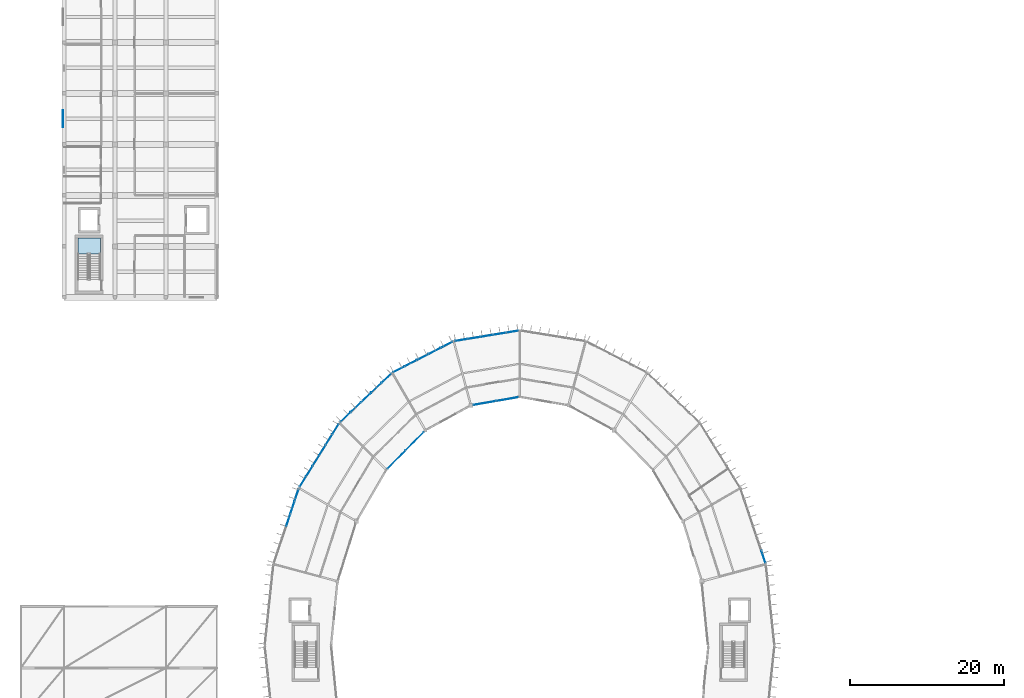
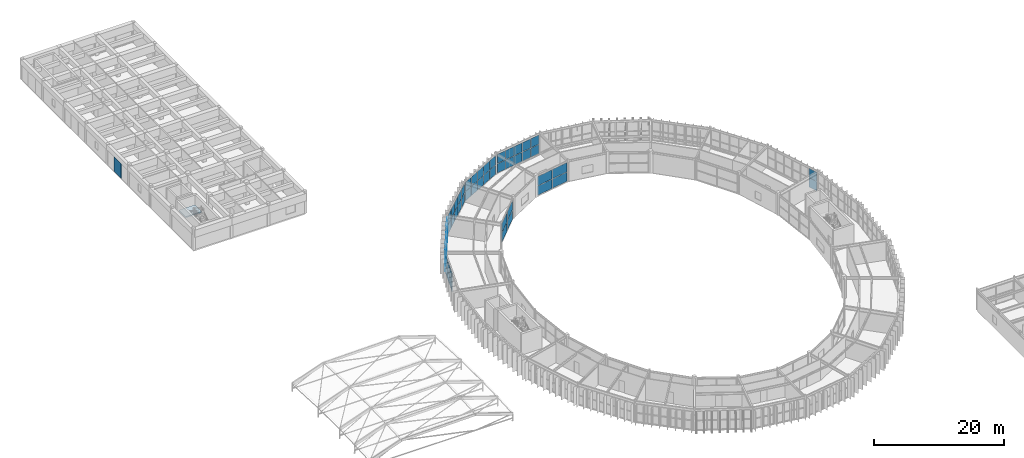
# One storey, part 97 of 134: 59 plates, 1 slab, 9 elements without a shape of their own.
"""IFC4 building model written with IfcOpenShell, lengths in metres."""

from ifc_helpers import new_model, si_unit, direction, frame, origin, origin_2d, place, context, subcontext, project, spatial, polyline, rectangle, outline, extrude, material, layer, layer_set, type_object, element, aggregate, save


model = new_model("IFC4")

# Units and contexts
model_context = context("Model", 3, precision=1e-05, world=origin(), true_north=direction((0.0, 1.0)))
body_context = subcontext(model_context, "Body", "Model", "MODEL_VIEW")
ifc_project = project(units=[si_unit("LENGTHUNIT", "METRE"), si_unit("AREAUNIT", "SQUARE_METRE"), si_unit("VOLUMEUNIT", "CUBIC_METRE"), si_unit("PLANEANGLEUNIT", "RADIAN"), si_unit("MASSUNIT", "GRAM", prefix="KILO")], contexts=[model_context])

# Site, building, storey
site_placement = place(None, origin())
site = spatial("IfcSite", under=ifc_project, at=site_placement, CompositionType="ELEMENT")
building_placement = place(site_placement, origin())
building = spatial("IfcBuilding", under=site, at=building_placement, Name="Karori Crest Natural Sciences Institute", CompositionType="ELEMENT")
storey_placement = place(building_placement, frame((0.0, 0.0, 21.699951171875)))
storey = spatial("IfcBuildingStorey", under=building, at=storey_placement, Name="L05", CompositionType="ELEMENT", Elevation=21.699951171875)

# Curtain wall, plates
ifc_material_1 = material(Name="Anodised architectural aluminium 6063-T6", Category="aluminium")
curtain_wall_type_1 = type_object("IfcCurtainWallType", Name="CWT-07", PredefinedType="NOTDEFINED", material=ifc_material_1)
curtain_wall_1_placement = place(storey_placement, origin())
curtain_wall_1 = element("IfcCurtainWall", 1, at=curtain_wall_1_placement, inside=storey, type_object=curtain_wall_type_1, Name="Curtain wall CW-0181", PredefinedType="NOTDEFINED")
ifc_material_2 = material(Name="Double low-E laminated glass", Category="glass")
ifc_layer_1 = layer(ifc_material_2, 0.02392578125, Name="Double low-E laminated glass")
ifc_layer_set_1 = layer_set([ifc_layer_1], Name="Double low-E laminated glass")
plate_type_1 = type_object("IfcPlateType", Name="CWP-01", PredefinedType="CURTAIN_PANEL", material=ifc_layer_set_1)
plate_1_placement = place(storey_placement, frame((58.8291015625, 89.4677734375, 0.06494140625), z_axis=(0.0, 0.0, 1.0), x_axis=(0.987011397252, 0.160650246484, 0.0)))
plate_1 = element("IfcPlate", 2, at=plate_1_placement, type_object=plate_type_1, Name="CW-0181 panel 1.1", PredefinedType="CURTAIN_PANEL", context=body_context, shape_type="SweptSolid", body=[
    extrude(rectangle(XDim=1.582275390625, YDim=0.02392578125, at=origin_2d()), origin(), (0.0, 0.0, 1.0), 1.715087890625),
])
plate_2_placement = place(storey_placement, frame((58.8291015625, 89.4677734375, 1.84521484375), z_axis=(0.0, 0.0, 1.0), x_axis=(0.987011397252, 0.160650246484, 0.0)))
plate_2 = element("IfcPlate", 3, at=plate_2_placement, type_object=plate_type_1, Name="CW-0181 panel 1.2", PredefinedType="CURTAIN_PANEL", context=body_context, shape_type="SweptSolid", body=[
    extrude(rectangle(XDim=1.582275390625, YDim=0.02392578125, at=origin_2d()), origin(), (0.0, 0.0, 1.0), 1.715087890625),
])
plate_3_placement = place(storey_placement, frame((60.47119140625, 89.735107421875, 0.06494140625), z_axis=(0.0, 0.0, 1.0), x_axis=(0.987011397252, 0.160650246484, 0.0)))
plate_3 = element("IfcPlate", 4, at=plate_3_placement, type_object=plate_type_1, Name="CW-0181 panel 2.1", PredefinedType="CURTAIN_PANEL", context=body_context, shape_type="SweptSolid", body=[
    extrude(rectangle(XDim=1.61474609375, YDim=0.02392578125, at=origin_2d()), origin(), (0.0, 0.0, 1.0), 1.715087890625),
])
plate_4_placement = place(storey_placement, frame((60.47119140625, 89.735107421875, 1.84521484375), z_axis=(0.0, 0.0, 1.0), x_axis=(0.987011397252, 0.160650246484, 0.0)))
plate_4 = element("IfcPlate", 5, at=plate_4_placement, type_object=plate_type_1, Name="CW-0181 panel 2.2", PredefinedType="CURTAIN_PANEL", context=body_context, shape_type="SweptSolid", body=[
    extrude(rectangle(XDim=1.61474609375, YDim=0.02392578125, at=origin_2d()), origin(), (0.0, 0.0, 1.0), 1.715087890625),
])
plate_5_placement = place(storey_placement, frame((62.129150390625, 90.0048828125, 0.06494140625), z_axis=(0.0, 0.0, 1.0), x_axis=(0.987011397252, 0.160650246484, 0.0)))
plate_5 = element("IfcPlate", 6, at=plate_5_placement, type_object=plate_type_1, Name="CW-0181 panel 3.1", PredefinedType="CURTAIN_PANEL", context=body_context, shape_type="SweptSolid", body=[
    extrude(rectangle(XDim=1.61474609375, YDim=0.02392578125, at=origin_2d()), origin(), (0.0, 0.0, 1.0), 1.715087890625),
])
plate_6_placement = place(storey_placement, frame((62.129150390625, 90.0048828125, 1.84521484375), z_axis=(0.0, 0.0, 1.0), x_axis=(0.987011397252, 0.160650246484, 0.0)))
plate_6 = element("IfcPlate", 7, at=plate_6_placement, type_object=plate_type_1, Name="CW-0181 panel 3.2", PredefinedType="CURTAIN_PANEL", context=body_context, shape_type="SweptSolid", body=[
    extrude(rectangle(XDim=1.61474609375, YDim=0.02392578125, at=origin_2d()), origin(), (0.0, 0.0, 1.0), 1.715087890625),
])
plate_7_placement = place(storey_placement, frame((63.787109375, 90.274658203125, 0.06494140625), z_axis=(0.0, 0.0, 1.0), x_axis=(0.987011397252, 0.160650246484, 0.0)))
plate_7 = element("IfcPlate", 8, at=plate_7_placement, type_object=plate_type_1, Name="CW-0181 panel 4.1", PredefinedType="CURTAIN_PANEL", context=body_context, shape_type="SweptSolid", body=[
    extrude(rectangle(XDim=1.61474609375, YDim=0.02392578125, at=origin_2d()), origin(), (0.0, 0.0, 1.0), 1.715087890625),
])
plate_8_placement = place(storey_placement, frame((63.787109375, 90.274658203125, 1.84521484375), z_axis=(0.0, 0.0, 1.0), x_axis=(0.987011397252, 0.160650246484, 0.0)))
plate_8 = element("IfcPlate", 9, at=plate_8_placement, type_object=plate_type_1, Name="CW-0181 panel 4.2", PredefinedType="CURTAIN_PANEL", context=body_context, shape_type="SweptSolid", body=[
    extrude(rectangle(XDim=1.61474609375, YDim=0.02392578125, at=origin_2d()), origin(), (0.0, 0.0, 1.0), 1.715087890625),
])
plate_9_placement = place(storey_placement, frame((65.428955078125, 90.5419921875, 0.06494140625), z_axis=(0.0, 0.0, 1.0), x_axis=(0.987011397252, 0.160650246484, 0.0)))
plate_9 = element("IfcPlate", 10, at=plate_9_placement, type_object=plate_type_1, Name="CW-0181 panel 5.1", PredefinedType="CURTAIN_PANEL", context=body_context, shape_type="SweptSolid", body=[
    extrude(rectangle(XDim=1.582275390625, YDim=0.02392578125, at=origin_2d()), origin(), (0.0, 0.0, 1.0), 1.715087890625),
])
plate_10_placement = place(storey_placement, frame((65.428955078125, 90.5419921875, 1.84521484375), z_axis=(0.0, 0.0, 1.0), x_axis=(0.987011397252, 0.160650246484, 0.0)))
plate_10 = element("IfcPlate", 11, at=plate_10_placement, type_object=plate_type_1, Name="CW-0181 panel 5.2", PredefinedType="CURTAIN_PANEL", context=body_context, shape_type="SweptSolid", body=[
    extrude(rectangle(XDim=1.582275390625, YDim=0.02392578125, at=origin_2d()), origin(), (0.0, 0.0, 1.0), 1.715087890625),
])
aggregate(curtain_wall_1, [plate_1, plate_2, plate_3, plate_4, plate_5, plate_6, plate_7, plate_8, plate_9, plate_10])

curtain_wall_type_2 = type_object("IfcCurtainWallType", Name="CWT-12", PredefinedType="NOTDEFINED", material=ifc_material_1)
curtain_wall_2_placement = place(storey_placement, origin())
curtain_wall_2 = element("IfcCurtainWall", 12, at=curtain_wall_2_placement, inside=storey, type_object=curtain_wall_type_2, Name="Curtain wall CW-0182", PredefinedType="NOTDEFINED")
plate_11_placement = place(storey_placement, frame((64.798095703125, 81.821533203125, 0.06005859375), z_axis=(0.0, 0.0, 1.0), x_axis=(-0.985240827231, -0.171173924291, 0.0)))
plate_11 = element("IfcPlate", 13, at=plate_11_placement, type_object=plate_type_1, Name="CW-0182 panel 1.1", PredefinedType="CURTAIN_PANEL", context=body_context, shape_type="SweptSolid", body=[
    extrude(rectangle(XDim=2.91796875, YDim=0.02392578125, at=origin_2d()), origin(), (0.0, 0.0, 1.0), 1.735107421875),
])
plate_12_placement = place(storey_placement, frame((64.798095703125, 81.821533203125, 1.85498046875), z_axis=(0.0, 0.0, 1.0), x_axis=(-0.985240827231, -0.171173924291, 0.0)))
plate_12 = element("IfcPlate", 14, at=plate_12_placement, type_object=plate_type_1, Name="CW-0182 panel 1.2", PredefinedType="CURTAIN_PANEL", context=body_context, shape_type="SweptSolid", body=[
    extrude(rectangle(XDim=2.91796875, YDim=0.02392578125, at=origin_2d()), origin(), (0.0, 0.0, 1.0), 1.735107421875),
])
plate_13_placement = place(storey_placement, frame((61.859130859375, 81.31103515625, 0.06005859375), z_axis=(0.0, 0.0, 1.0), x_axis=(-0.985240827231, -0.171173924291, 0.0)))
plate_13 = element("IfcPlate", 15, at=plate_13_placement, type_object=plate_type_1, Name="CW-0182 panel 2.1", PredefinedType="CURTAIN_PANEL", context=body_context, shape_type="SweptSolid", body=[
    extrude(rectangle(XDim=2.91796875, YDim=0.02392578125, at=origin_2d()), origin(), (0.0, 0.0, 1.0), 1.735107421875),
])
plate_14_placement = place(storey_placement, frame((61.859130859375, 81.31103515625, 1.85498046875), z_axis=(0.0, 0.0, 1.0), x_axis=(-0.985240827231, -0.171173924291, 0.0)))
plate_14 = element("IfcPlate", 16, at=plate_14_placement, type_object=plate_type_1, Name="CW-0182 panel 2.2", PredefinedType="CURTAIN_PANEL", context=body_context, shape_type="SweptSolid", body=[
    extrude(rectangle(XDim=2.91796875, YDim=0.02392578125, at=origin_2d()), origin(), (0.0, 0.0, 1.0), 1.735107421875),
])
aggregate(curtain_wall_2, [plate_11, plate_12, plate_13, plate_14])

curtain_wall_type_3 = type_object("IfcCurtainWallType", Name="CWT-14", PredefinedType="NOTDEFINED", material=ifc_material_1)
curtain_wall_3_placement = place(storey_placement, origin())
curtain_wall_3 = element("IfcCurtainWall", 17, at=curtain_wall_3_placement, inside=storey, type_object=curtain_wall_type_3, Name="Curtain wall CW-0185", PredefinedType="NOTDEFINED")
plate_15_placement = place(storey_placement, frame((52.803466796875, 76.371826171875, 0.06005859375), z_axis=(0.0, 0.0, 1.0), x_axis=(-0.702660818381, -0.711524963942, 0.0)))
plate_15 = element("IfcPlate", 18, at=plate_15_placement, type_object=plate_type_1, Name="CW-0185 panel 1.1", PredefinedType="CURTAIN_PANEL", context=body_context, shape_type="SweptSolid", body=[
    extrude(rectangle(XDim=3.286865234375, YDim=0.02392578125, at=origin_2d()), origin(), (0.0, 0.0, 1.0), 1.735107421875),
])
plate_16_placement = place(storey_placement, frame((52.803466796875, 76.371826171875, 1.85498046875), z_axis=(0.0, 0.0, 1.0), x_axis=(-0.702660818381, -0.711524963942, 0.0)))
plate_16 = element("IfcPlate", 19, at=plate_16_placement, type_object=plate_type_1, Name="CW-0185 panel 1.2", PredefinedType="CURTAIN_PANEL", context=body_context, shape_type="SweptSolid", body=[
    extrude(rectangle(XDim=3.286865234375, YDim=0.02392578125, at=origin_2d()), origin(), (0.0, 0.0, 1.0), 1.735107421875),
])
plate_17_placement = place(storey_placement, frame((50.4482421875, 73.98681640625, 0.06005859375), z_axis=(0.0, 0.0, 1.0), x_axis=(-0.702660818381, -0.711524963942, 0.0)))
plate_17 = element("IfcPlate", 20, at=plate_17_placement, type_object=plate_type_1, Name="CW-0185 panel 2.1", PredefinedType="CURTAIN_PANEL", context=body_context, shape_type="SweptSolid", body=[
    extrude(rectangle(XDim=3.286865234375, YDim=0.02392578125, at=origin_2d()), origin(), (0.0, 0.0, 1.0), 1.735107421875),
])
plate_18_placement = place(storey_placement, frame((50.4482421875, 73.98681640625, 1.85498046875), z_axis=(0.0, 0.0, 1.0), x_axis=(-0.702660818381, -0.711524963942, 0.0)))
plate_18 = element("IfcPlate", 21, at=plate_18_placement, type_object=plate_type_1, Name="CW-0185 panel 2.2", PredefinedType="CURTAIN_PANEL", context=body_context, shape_type="SweptSolid", body=[
    extrude(rectangle(XDim=3.286865234375, YDim=0.02392578125, at=origin_2d()), origin(), (0.0, 0.0, 1.0), 1.735107421875),
])
aggregate(curtain_wall_3, [plate_15, plate_16, plate_17, plate_18])

curtain_wall_type_4 = type_object("IfcCurtainWallType", Name="CWT-10", PredefinedType="NOTDEFINED", material=ifc_material_1)
curtain_wall_4_placement = place(storey_placement, origin())
curtain_wall_4 = element("IfcCurtainWall", 22, at=curtain_wall_4_placement, inside=storey, type_object=curtain_wall_type_4, Name="Curtain wall CW-0186", PredefinedType="NOTDEFINED")
plate_19_placement = place(storey_placement, frame((38.33154296875, 71.1220703125, 0.06005859375), z_axis=(0.0, 0.0, 1.0), x_axis=(0.527323896352, 0.849664350398, 0.0)))
plate_19 = element("IfcPlate", 23, at=plate_19_placement, type_object=plate_type_1, Name="CW-0186 panel 1.1", PredefinedType="CURTAIN_PANEL", context=body_context, shape_type="SweptSolid", body=[
    extrude(rectangle(XDim=1.51025390625, YDim=0.02392578125, at=origin_2d()), origin(), (0.0, 0.0, 1.0), 1.722412109375),
])
plate_20_placement = place(storey_placement, frame((38.33154296875, 71.1220703125, 1.8427734375), z_axis=(0.0, 0.0, 1.0), x_axis=(0.527323896352, 0.849664350398, 0.0)))
plate_20 = element("IfcPlate", 24, at=plate_20_placement, type_object=plate_type_1, Name="CW-0186 panel 1.2", PredefinedType="CURTAIN_PANEL", context=body_context, shape_type="SweptSolid", body=[
    extrude(rectangle(XDim=1.51025390625, YDim=0.02392578125, at=origin_2d()), origin(), (0.0, 0.0, 1.0), 1.722412109375),
])
plate_21_placement = place(storey_placement, frame((39.170654296875, 72.474365234375, 0.06005859375), z_axis=(0.0, 0.0, 1.0), x_axis=(0.527323896352, 0.849664350398, 0.0)))
plate_21 = element("IfcPlate", 25, at=plate_21_placement, type_object=plate_type_1, Name="CW-0186 panel 2.1", PredefinedType="CURTAIN_PANEL", context=body_context, shape_type="SweptSolid", body=[
    extrude(rectangle(XDim=1.542724609375, YDim=0.02392578125, at=origin_2d()), origin(), (0.0, 0.0, 1.0), 1.722412109375),
])
plate_22_placement = place(storey_placement, frame((39.170654296875, 72.474365234375, 1.8427734375), z_axis=(0.0, 0.0, 1.0), x_axis=(0.527323896352, 0.849664350398, 0.0)))
plate_22 = element("IfcPlate", 26, at=plate_22_placement, type_object=plate_type_1, Name="CW-0186 panel 2.2", PredefinedType="CURTAIN_PANEL", context=body_context, shape_type="SweptSolid", body=[
    extrude(rectangle(XDim=1.542724609375, YDim=0.02392578125, at=origin_2d()), origin(), (0.0, 0.0, 1.0), 1.722412109375),
])
plate_23_placement = place(storey_placement, frame((40.0185546875, 73.840576171875, 0.06005859375), z_axis=(0.0, 0.0, 1.0), x_axis=(0.527323896352, 0.849664350398, 0.0)))
plate_23 = element("IfcPlate", 27, at=plate_23_placement, type_object=plate_type_1, Name="CW-0186 panel 3.1", PredefinedType="CURTAIN_PANEL", context=body_context, shape_type="SweptSolid", body=[
    extrude(rectangle(XDim=1.542724609375, YDim=0.02392578125, at=origin_2d()), origin(), (0.0, 0.0, 1.0), 1.722412109375),
])
plate_24_placement = place(storey_placement, frame((40.0185546875, 73.840576171875, 1.8427734375), z_axis=(0.0, 0.0, 1.0), x_axis=(0.527323896352, 0.849664350398, 0.0)))
plate_24 = element("IfcPlate", 28, at=plate_24_placement, type_object=plate_type_1, Name="CW-0186 panel 3.2", PredefinedType="CURTAIN_PANEL", context=body_context, shape_type="SweptSolid", body=[
    extrude(rectangle(XDim=1.542724609375, YDim=0.02392578125, at=origin_2d()), origin(), (0.0, 0.0, 1.0), 1.722412109375),
])
plate_25_placement = place(storey_placement, frame((40.866455078125, 75.20654296875, 0.06005859375), z_axis=(0.0, 0.0, 1.0), x_axis=(0.527323896352, 0.849664350398, 0.0)))
plate_25 = element("IfcPlate", 29, at=plate_25_placement, type_object=plate_type_1, Name="CW-0186 panel 4.1", PredefinedType="CURTAIN_PANEL", context=body_context, shape_type="SweptSolid", body=[
    extrude(rectangle(XDim=1.542724609375, YDim=0.02392578125, at=origin_2d()), origin(), (0.0, 0.0, 1.0), 1.722412109375),
])
plate_26_placement = place(storey_placement, frame((40.866455078125, 75.20654296875, 1.8427734375), z_axis=(0.0, 0.0, 1.0), x_axis=(0.527323896352, 0.849664350398, 0.0)))
plate_26 = element("IfcPlate", 30, at=plate_26_placement, type_object=plate_type_1, Name="CW-0186 panel 4.2", PredefinedType="CURTAIN_PANEL", context=body_context, shape_type="SweptSolid", body=[
    extrude(rectangle(XDim=1.542724609375, YDim=0.02392578125, at=origin_2d()), origin(), (0.0, 0.0, 1.0), 1.722412109375),
])
plate_27_placement = place(storey_placement, frame((41.714111328125, 76.572509765625, 0.06005859375), z_axis=(0.0, 0.0, 1.0), x_axis=(0.527323896352, 0.849664350398, 0.0)))
plate_27 = element("IfcPlate", 31, at=plate_27_placement, type_object=plate_type_1, Name="CW-0186 panel 5.1", PredefinedType="CURTAIN_PANEL", context=body_context, shape_type="SweptSolid", body=[
    extrude(rectangle(XDim=1.542724609375, YDim=0.02392578125, at=origin_2d()), origin(), (0.0, 0.0, 1.0), 1.722412109375),
])
plate_28_placement = place(storey_placement, frame((41.714111328125, 76.572509765625, 1.8427734375), z_axis=(0.0, 0.0, 1.0), x_axis=(0.527323896352, 0.849664350398, 0.0)))
plate_28 = element("IfcPlate", 32, at=plate_28_placement, type_object=plate_type_1, Name="CW-0186 panel 5.2", PredefinedType="CURTAIN_PANEL", context=body_context, shape_type="SweptSolid", body=[
    extrude(rectangle(XDim=1.542724609375, YDim=0.02392578125, at=origin_2d()), origin(), (0.0, 0.0, 1.0), 1.722412109375),
])
plate_29_placement = place(storey_placement, frame((42.553466796875, 77.9248046875, 0.06005859375), z_axis=(0.0, 0.0, 1.0), x_axis=(0.527323896352, 0.849664350398, 0.0)))
plate_29 = element("IfcPlate", 33, at=plate_29_placement, type_object=plate_type_1, Name="CW-0186 panel 6.1", PredefinedType="CURTAIN_PANEL", context=body_context, shape_type="SweptSolid", body=[
    extrude(rectangle(XDim=1.51025390625, YDim=0.02392578125, at=origin_2d()), origin(), (0.0, 0.0, 1.0), 1.722412109375),
])
plate_30_placement = place(storey_placement, frame((42.553466796875, 77.9248046875, 1.8427734375), z_axis=(0.0, 0.0, 1.0), x_axis=(0.527323896352, 0.849664350398, 0.0)))
plate_30 = element("IfcPlate", 34, at=plate_30_placement, type_object=plate_type_1, Name="CW-0186 panel 6.2", PredefinedType="CURTAIN_PANEL", context=body_context, shape_type="SweptSolid", body=[
    extrude(rectangle(XDim=1.51025390625, YDim=0.02392578125, at=origin_2d()), origin(), (0.0, 0.0, 1.0), 1.722412109375),
])
aggregate(curtain_wall_4, [plate_19, plate_20, plate_21, plate_22, plate_23, plate_24, plate_25, plate_26, plate_27, plate_28, plate_29, plate_30])

curtain_wall_type_5 = type_object("IfcCurtainWallType", Name="CWT-02", PredefinedType="NOTDEFINED", material=ifc_material_1)
curtain_wall_5_placement = place(storey_placement, origin())
curtain_wall_5 = element("IfcCurtainWall", 35, at=curtain_wall_5_placement, inside=storey, type_object=curtain_wall_type_5, Name="Curtain wall CW-0174", PredefinedType="NOTDEFINED")
ifc_layer_2 = layer(ifc_material_2, 0.033935546875, Name="Double low-E laminated glass")
ifc_layer_set_2 = layer_set([ifc_layer_2], Name="Double low-E laminated glass")
plate_type_2 = type_object("IfcPlateType", Name="CWP-02", PredefinedType="CURTAIN_PANEL", material=ifc_layer_set_2)
plate_31_placement = place(storey_placement, frame((97.95947265625, 61.4033203125, 0.06005859375), z_axis=(0.0, 0.0, 1.0), x_axis=(0.317679803392, -0.94819805026, 0.0)))
plate_31 = element("IfcPlate", 36, at=plate_31_placement, type_object=plate_type_2, Name="CW-0174 panel 6.1", PredefinedType="CURTAIN_PANEL", context=body_context, shape_type="SweptSolid", body=[
    extrude(rectangle(XDim=1.59619140625, YDim=0.033935546875, at=origin_2d()), origin(), (0.0, 0.0, 1.0), 1.722412109375),
])
plate_32_placement = place(storey_placement, frame((97.95947265625, 61.4033203125, 1.8427734375), z_axis=(0.0, 0.0, 1.0), x_axis=(0.317679803392, -0.94819805026, 0.0)))
plate_32 = element("IfcPlate", 37, at=plate_32_placement, type_object=plate_type_2, Name="CW-0174 panel 6.2", PredefinedType="CURTAIN_PANEL", context=body_context, shape_type="SweptSolid", body=[
    extrude(rectangle(XDim=1.59619140625, YDim=0.033935546875, at=origin_2d()), origin(), (0.0, 0.0, 1.0), 1.722412109375),
])
aggregate(curtain_wall_5, [plate_31, plate_32])

curtain_wall_type_6 = type_object("IfcCurtainWallType", Name="CWT-08", PredefinedType="NOTDEFINED", material=ifc_material_1)
curtain_wall_6_placement = place(storey_placement, origin())
curtain_wall_6 = element("IfcCurtainWall", 38, at=curtain_wall_6_placement, inside=storey, type_object=curtain_wall_type_6, Name="Curtain wall CW-0183", PredefinedType="NOTDEFINED")
plate_33_placement = place(storey_placement, frame((50.765625, 85.677001953125, 0.06005859375), z_axis=(0.0, 0.0, 1.0), x_axis=(0.890067432138, 0.455828878252, 0.0)))
plate_33 = element("IfcPlate", 39, at=plate_33_placement, type_object=plate_type_2, Name="CW-0183 panel 1.1", PredefinedType="CURTAIN_PANEL", context=body_context, shape_type="SweptSolid", body=[
    extrude(rectangle(XDim=1.645751953125, YDim=0.033935546875, at=origin_2d()), origin(), (0.0, 0.0, 1.0), 1.722412109375),
])
plate_34_placement = place(storey_placement, frame((50.765625, 85.677001953125, 1.8427734375), z_axis=(0.0, 0.0, 1.0), x_axis=(0.890067432138, 0.455828878252, 0.0)))
plate_34 = element("IfcPlate", 40, at=plate_34_placement, type_object=plate_type_2, Name="CW-0183 panel 1.2", PredefinedType="CURTAIN_PANEL", context=body_context, shape_type="SweptSolid", body=[
    extrude(rectangle(XDim=1.645751953125, YDim=0.033935546875, at=origin_2d()), origin(), (0.0, 0.0, 1.0), 1.722412109375),
])
plate_35_placement = place(storey_placement, frame((52.302734375, 86.46435546875, 0.06005859375), z_axis=(0.0, 0.0, 1.0), x_axis=(0.890067432138, 0.455828878252, 0.0)))
plate_35 = element("IfcPlate", 41, at=plate_35_placement, type_object=plate_type_2, Name="CW-0183 panel 2.1", PredefinedType="CURTAIN_PANEL", context=body_context, shape_type="SweptSolid", body=[
    extrude(rectangle(XDim=1.678466796875, YDim=0.033935546875, at=origin_2d()), origin(), (0.0, 0.0, 1.0), 1.722412109375),
])
plate_36_placement = place(storey_placement, frame((52.302734375, 86.46435546875, 1.8427734375), z_axis=(0.0, 0.0, 1.0), x_axis=(0.890067432138, 0.455828878252, 0.0)))
plate_36 = element("IfcPlate", 42, at=plate_36_placement, type_object=plate_type_2, Name="CW-0183 panel 2.2", PredefinedType="CURTAIN_PANEL", context=body_context, shape_type="SweptSolid", body=[
    extrude(rectangle(XDim=1.678466796875, YDim=0.033935546875, at=origin_2d()), origin(), (0.0, 0.0, 1.0), 1.722412109375),
])
plate_37_placement = place(storey_placement, frame((53.8544921875, 87.259033203125, 0.06005859375), z_axis=(0.0, 0.0, 1.0), x_axis=(0.890067432138, 0.455828878252, 0.0)))
plate_37 = element("IfcPlate", 43, at=plate_37_placement, type_object=plate_type_2, Name="CW-0183 panel 3.1", PredefinedType="CURTAIN_PANEL", context=body_context, shape_type="SweptSolid", body=[
    extrude(rectangle(XDim=1.678466796875, YDim=0.033935546875, at=origin_2d()), origin(), (0.0, 0.0, 1.0), 1.722412109375),
])
plate_38_placement = place(storey_placement, frame((53.8544921875, 87.259033203125, 1.8427734375), z_axis=(0.0, 0.0, 1.0), x_axis=(0.890067432138, 0.455828878252, 0.0)))
plate_38 = element("IfcPlate", 44, at=plate_38_placement, type_object=plate_type_2, Name="CW-0183 panel 3.2", PredefinedType="CURTAIN_PANEL", context=body_context, shape_type="SweptSolid", body=[
    extrude(rectangle(XDim=1.678466796875, YDim=0.033935546875, at=origin_2d()), origin(), (0.0, 0.0, 1.0), 1.722412109375),
])
plate_39_placement = place(storey_placement, frame((55.40625, 88.0537109375, 0.06005859375), z_axis=(0.0, 0.0, 1.0), x_axis=(0.890067432138, 0.455828878252, 0.0)))
plate_39 = element("IfcPlate", 45, at=plate_39_placement, type_object=plate_type_2, Name="CW-0183 panel 4.1", PredefinedType="CURTAIN_PANEL", context=body_context, shape_type="SweptSolid", body=[
    extrude(rectangle(XDim=1.678466796875, YDim=0.033935546875, at=origin_2d()), origin(), (0.0, 0.0, 1.0), 1.722412109375),
])
plate_40_placement = place(storey_placement, frame((55.40625, 88.0537109375, 1.8427734375), z_axis=(0.0, 0.0, 1.0), x_axis=(0.890067432138, 0.455828878252, 0.0)))
plate_40 = element("IfcPlate", 46, at=plate_40_placement, type_object=plate_type_2, Name="CW-0183 panel 4.2", PredefinedType="CURTAIN_PANEL", context=body_context, shape_type="SweptSolid", body=[
    extrude(rectangle(XDim=1.678466796875, YDim=0.033935546875, at=origin_2d()), origin(), (0.0, 0.0, 1.0), 1.722412109375),
])
plate_41_placement = place(storey_placement, frame((56.943359375, 88.841064453125, 0.06005859375), z_axis=(0.0, 0.0, 1.0), x_axis=(0.890067432138, 0.455828878252, 0.0)))
plate_41 = element("IfcPlate", 47, at=plate_41_placement, type_object=plate_type_2, Name="CW-0183 panel 5.1", PredefinedType="CURTAIN_PANEL", context=body_context, shape_type="SweptSolid", body=[
    extrude(rectangle(XDim=1.645751953125, YDim=0.033935546875, at=origin_2d()), origin(), (0.0, 0.0, 1.0), 1.722412109375),
])
plate_42_placement = place(storey_placement, frame((56.943359375, 88.841064453125, 1.8427734375), z_axis=(0.0, 0.0, 1.0), x_axis=(0.890067432138, 0.455828878252, 0.0)))
plate_42 = element("IfcPlate", 48, at=plate_42_placement, type_object=plate_type_2, Name="CW-0183 panel 5.2", PredefinedType="CURTAIN_PANEL", context=body_context, shape_type="SweptSolid", body=[
    extrude(rectangle(XDim=1.645751953125, YDim=0.033935546875, at=origin_2d()), origin(), (0.0, 0.0, 1.0), 1.722412109375),
])
aggregate(curtain_wall_6, [plate_33, plate_34, plate_35, plate_36, plate_37, plate_38, plate_39, plate_40, plate_41, plate_42])

curtain_wall_type_7 = type_object("IfcCurtainWallType", Name="CWT-01", PredefinedType="NOTDEFINED", material=ifc_material_1)
curtain_wall_7_placement = place(storey_placement, origin())
curtain_wall_7 = element("IfcCurtainWall", 49, at=curtain_wall_7_placement, inside=storey, type_object=curtain_wall_type_7, Name="Curtain wall CW-0187", PredefinedType="NOTDEFINED")
plate_43_placement = place(storey_placement, frame((36.43408203125, 66.159912109375, 0.06494140625), z_axis=(0.0, 0.0, 1.0), x_axis=(0.317679803392, 0.94819805026, 0.0)))
plate_43 = element("IfcPlate", 50, at=plate_43_placement, type_object=plate_type_2, Name="CW-0187 panel 4.1", PredefinedType="CURTAIN_PANEL", context=body_context, shape_type="SweptSolid", body=[
    extrude(rectangle(XDim=1.628662109375, YDim=0.033935546875, at=origin_2d()), origin(), (0.0, 0.0, 1.0), 1.715087890625),
])
plate_44_placement = place(storey_placement, frame((36.43408203125, 66.159912109375, 1.84521484375), z_axis=(0.0, 0.0, 1.0), x_axis=(0.317679803392, 0.94819805026, 0.0)))
plate_44 = element("IfcPlate", 51, at=plate_44_placement, type_object=plate_type_2, Name="CW-0187 panel 4.2", PredefinedType="CURTAIN_PANEL", context=body_context, shape_type="SweptSolid", body=[
    extrude(rectangle(XDim=1.628662109375, YDim=0.033935546875, at=origin_2d()), origin(), (0.0, 0.0, 1.0), 1.715087890625),
])
plate_45_placement = place(storey_placement, frame((36.97216796875, 67.765869140625, 0.06494140625), z_axis=(0.0, 0.0, 1.0), x_axis=(0.317679803392, 0.94819805026, 0.0)))
plate_45 = element("IfcPlate", 52, at=plate_45_placement, type_object=plate_type_2, Name="CW-0187 panel 5.1", PredefinedType="CURTAIN_PANEL", context=body_context, shape_type="SweptSolid", body=[
    extrude(rectangle(XDim=1.628662109375, YDim=0.033935546875, at=origin_2d()), origin(), (0.0, 0.0, 1.0), 1.715087890625),
])
plate_46_placement = place(storey_placement, frame((36.97216796875, 67.765869140625, 1.84521484375), z_axis=(0.0, 0.0, 1.0), x_axis=(0.317679803392, 0.94819805026, 0.0)))
plate_46 = element("IfcPlate", 53, at=plate_46_placement, type_object=plate_type_2, Name="CW-0187 panel 5.2", PredefinedType="CURTAIN_PANEL", context=body_context, shape_type="SweptSolid", body=[
    extrude(rectangle(XDim=1.628662109375, YDim=0.033935546875, at=origin_2d()), origin(), (0.0, 0.0, 1.0), 1.715087890625),
])
plate_47_placement = place(storey_placement, frame((37.505126953125, 69.3564453125, 0.06494140625), z_axis=(0.0, 0.0, 1.0), x_axis=(0.317679803392, 0.94819805026, 0.0)))
plate_47 = element("IfcPlate", 54, at=plate_47_placement, type_object=plate_type_2, Name="CW-0187 panel 6.1", PredefinedType="CURTAIN_PANEL", context=body_context, shape_type="SweptSolid", body=[
    extrude(rectangle(XDim=1.59619140625, YDim=0.033935546875, at=origin_2d()), origin(), (0.0, 0.0, 1.0), 1.715087890625),
])
plate_48_placement = place(storey_placement, frame((37.505126953125, 69.3564453125, 1.84521484375), z_axis=(0.0, 0.0, 1.0), x_axis=(0.317679803392, 0.94819805026, 0.0)))
plate_48 = element("IfcPlate", 55, at=plate_48_placement, type_object=plate_type_2, Name="CW-0187 panel 6.2", PredefinedType="CURTAIN_PANEL", context=body_context, shape_type="SweptSolid", body=[
    extrude(rectangle(XDim=1.59619140625, YDim=0.033935546875, at=origin_2d()), origin(), (0.0, 0.0, 1.0), 1.715087890625),
])
aggregate(curtain_wall_7, [plate_43, plate_44, plate_45, plate_46, plate_47, plate_48])

curtain_wall_type_8 = type_object("IfcCurtainWallType", Name="CWT-09", PredefinedType="NOTDEFINED", material=ifc_material_1)
curtain_wall_8_placement = place(storey_placement, origin())
curtain_wall_8 = element("IfcCurtainWall", 56, at=curtain_wall_8_placement, inside=storey, type_object=curtain_wall_type_8, Name="Curtain wall CW-0184", PredefinedType="NOTDEFINED")
ifc_layer_3 = layer(ifc_material_2, 0.0439453125, Name="Double low-E laminated glass")
ifc_layer_set_3 = layer_set([ifc_layer_3], Name="Double low-E laminated glass")
plate_type_3 = type_object("IfcPlateType", Name="CWP-03", PredefinedType="CURTAIN_PANEL", material=ifc_layer_set_3)
plate_49_placement = place(storey_placement, frame((43.866943359375, 79.510498046875, 0.06494140625), z_axis=(0.0, 0.0, 1.0), x_axis=(0.725473081026, 0.688250542104, 0.0)))
plate_49 = element("IfcPlate", 57, at=plate_49_placement, type_object=plate_type_3, Name="CW-0184 panel 1.1", PredefinedType="CURTAIN_PANEL", context=body_context, shape_type="SweptSolid", body=[
    extrude(rectangle(XDim=1.73095703125, YDim=0.0439453125, at=origin_2d()), origin(), (0.0, 0.0, 1.0), 1.715087890625),
])
plate_50_placement = place(storey_placement, frame((43.866943359375, 79.510498046875, 1.84521484375), z_axis=(0.0, 0.0, 1.0), x_axis=(0.725473081026, 0.688250542104, 0.0)))
plate_50 = element("IfcPlate", 58, at=plate_50_placement, type_object=plate_type_3, Name="CW-0184 panel 1.2", PredefinedType="CURTAIN_PANEL", context=body_context, shape_type="SweptSolid", body=[
    extrude(rectangle(XDim=1.73095703125, YDim=0.0439453125, at=origin_2d()), origin(), (0.0, 0.0, 1.0), 1.715087890625),
])
plate_51_placement = place(storey_placement, frame((45.181640625, 80.757568359375, 0.06494140625), z_axis=(0.0, 0.0, 1.0), x_axis=(0.725473081026, 0.688250542104, 0.0)))
plate_51 = element("IfcPlate", 59, at=plate_51_placement, type_object=plate_type_3, Name="CW-0184 panel 2.1", PredefinedType="CURTAIN_PANEL", context=body_context, shape_type="SweptSolid", body=[
    extrude(rectangle(XDim=1.763427734375, YDim=0.0439453125, at=origin_2d()), origin(), (0.0, 0.0, 1.0), 1.715087890625),
])
plate_52_placement = place(storey_placement, frame((45.181640625, 80.757568359375, 1.84521484375), z_axis=(0.0, 0.0, 1.0), x_axis=(0.725473081026, 0.688250542104, 0.0)))
plate_52 = element("IfcPlate", 60, at=plate_52_placement, type_object=plate_type_3, Name="CW-0184 panel 2.2", PredefinedType="CURTAIN_PANEL", context=body_context, shape_type="SweptSolid", body=[
    extrude(rectangle(XDim=1.763427734375, YDim=0.0439453125, at=origin_2d()), origin(), (0.0, 0.0, 1.0), 1.715087890625),
])
plate_53_placement = place(storey_placement, frame((46.50830078125, 82.01611328125, 0.06494140625), z_axis=(0.0, 0.0, 1.0), x_axis=(0.725473081026, 0.688250542104, 0.0)))
plate_53 = element("IfcPlate", 61, at=plate_53_placement, type_object=plate_type_3, Name="CW-0184 panel 3.1", PredefinedType="CURTAIN_PANEL", context=body_context, shape_type="SweptSolid", body=[
    extrude(rectangle(XDim=1.763427734375, YDim=0.0439453125, at=origin_2d()), origin(), (0.0, 0.0, 1.0), 1.715087890625),
])
plate_54_placement = place(storey_placement, frame((46.50830078125, 82.01611328125, 1.84521484375), z_axis=(0.0, 0.0, 1.0), x_axis=(0.725473081026, 0.688250542104, 0.0)))
plate_54 = element("IfcPlate", 62, at=plate_54_placement, type_object=plate_type_3, Name="CW-0184 panel 3.2", PredefinedType="CURTAIN_PANEL", context=body_context, shape_type="SweptSolid", body=[
    extrude(rectangle(XDim=1.763427734375, YDim=0.0439453125, at=origin_2d()), origin(), (0.0, 0.0, 1.0), 1.715087890625),
])
plate_55_placement = place(storey_placement, frame((47.834716796875, 83.274658203125, 0.06494140625), z_axis=(0.0, 0.0, 1.0), x_axis=(0.725473081026, 0.688250542104, 0.0)))
plate_55 = element("IfcPlate", 63, at=plate_55_placement, type_object=plate_type_3, Name="CW-0184 panel 4.1", PredefinedType="CURTAIN_PANEL", context=body_context, shape_type="SweptSolid", body=[
    extrude(rectangle(XDim=1.763427734375, YDim=0.0439453125, at=origin_2d()), origin(), (0.0, 0.0, 1.0), 1.715087890625),
])
plate_56_placement = place(storey_placement, frame((47.834716796875, 83.274658203125, 1.84521484375), z_axis=(0.0, 0.0, 1.0), x_axis=(0.725473081026, 0.688250542104, 0.0)))
plate_56 = element("IfcPlate", 64, at=plate_56_placement, type_object=plate_type_3, Name="CW-0184 panel 4.2", PredefinedType="CURTAIN_PANEL", context=body_context, shape_type="SweptSolid", body=[
    extrude(rectangle(XDim=1.763427734375, YDim=0.0439453125, at=origin_2d()), origin(), (0.0, 0.0, 1.0), 1.715087890625),
])
plate_57_placement = place(storey_placement, frame((49.1494140625, 84.521728515625, 0.06494140625), z_axis=(0.0, 0.0, 1.0), x_axis=(0.725473081026, 0.688250542104, 0.0)))
plate_57 = element("IfcPlate", 65, at=plate_57_placement, type_object=plate_type_3, Name="CW-0184 panel 5.1", PredefinedType="CURTAIN_PANEL", context=body_context, shape_type="SweptSolid", body=[
    extrude(rectangle(XDim=1.73095703125, YDim=0.0439453125, at=origin_2d()), origin(), (0.0, 0.0, 1.0), 1.715087890625),
])
plate_58_placement = place(storey_placement, frame((49.1494140625, 84.521728515625, 1.84521484375), z_axis=(0.0, 0.0, 1.0), x_axis=(0.725473081026, 0.688250542104, 0.0)))
plate_58 = element("IfcPlate", 66, at=plate_58_placement, type_object=plate_type_3, Name="CW-0184 panel 5.2", PredefinedType="CURTAIN_PANEL", context=body_context, shape_type="SweptSolid", body=[
    extrude(rectangle(XDim=1.73095703125, YDim=0.0439453125, at=origin_2d()), origin(), (0.0, 0.0, 1.0), 1.715087890625),
])
aggregate(curtain_wall_8, [plate_49, plate_50, plate_51, plate_52, plate_53, plate_54, plate_55, plate_56, plate_57, plate_58])

# Plate
ifc_layer_4 = layer(ifc_material_1, 0.013916015625, Name="Anodised architectural aluminium 6063-T6")
ifc_layer_set_4 = layer_set([ifc_layer_4], Name="Anodised architectural aluminium 6063-T6")
plate_type_4 = type_object("IfcPlateType", Name="PLT-01", PredefinedType="SHEET", material=ifc_layer_set_4)
plate_59_placement = place(storey_placement, frame((7.25, 118.10009765625, 0.0751953125), z_axis=(0.0, 0.0, 1.0), x_axis=(1.0, 0.0, 0.0)))
element("IfcPlate", 67, at=plate_59_placement, inside=storey, type_object=plate_type_4, Name="Metabolist service chase cladding PL-0016", PredefinedType="SHEET", context=body_context, shape_type="SweptSolid", body=[
    extrude(rectangle(XDim=0.052001953125, YDim=2.199951171875, at=origin_2d()), origin(), (0.0, 0.0, 1.0), 2.735107421875),
])

# Stair, slab
ifc_material_3 = material(Name="Concrete 40 MPa", Category="concrete")
stair_type = type_object("IfcStairType", Name="STT-01", PredefinedType="HALF_TURN_STAIR", material=ifc_material_3)
stair_placement = place(storey_placement, origin())
stair = element("IfcStair", 68, at=stair_placement, inside=storey, type_object=stair_type, Name="Protected stair ST-05-L05", PredefinedType="HALF_TURN_STAIR")
ifc_layer_5 = layer(ifc_material_3, 0.2099609375, Name="Concrete 40 MPa")
ifc_layer_set_5 = layer_set([ifc_layer_5], Name="Concrete 40 MPa")
slab_type = type_object("IfcSlabType", Name="SLT-11", PredefinedType="LANDING", material=ifc_layer_set_5)
slab_placement = place(storey_placement, frame((0.0, 0.0, 1.89013671875)))
slab = element("IfcSlab", 69, at=slab_placement, type_object=slab_type, Name="ST-05-L05 landing 1", PredefinedType="LANDING", context=body_context, shape_type="SweptSolid", body=[
    extrude(outline(polyline([(12.10009765625, 100.60009765625), (12.10009765625, 102.699951171875), (9.199951171875, 102.699951171875), (9.199951171875, 100.60009765625), (12.10009765625, 100.60009765625)])), origin(), (0.0, 0.0, 1.0), 0.2099609375),
])
aggregate(stair, [slab])

save(model, "model.ifc")
